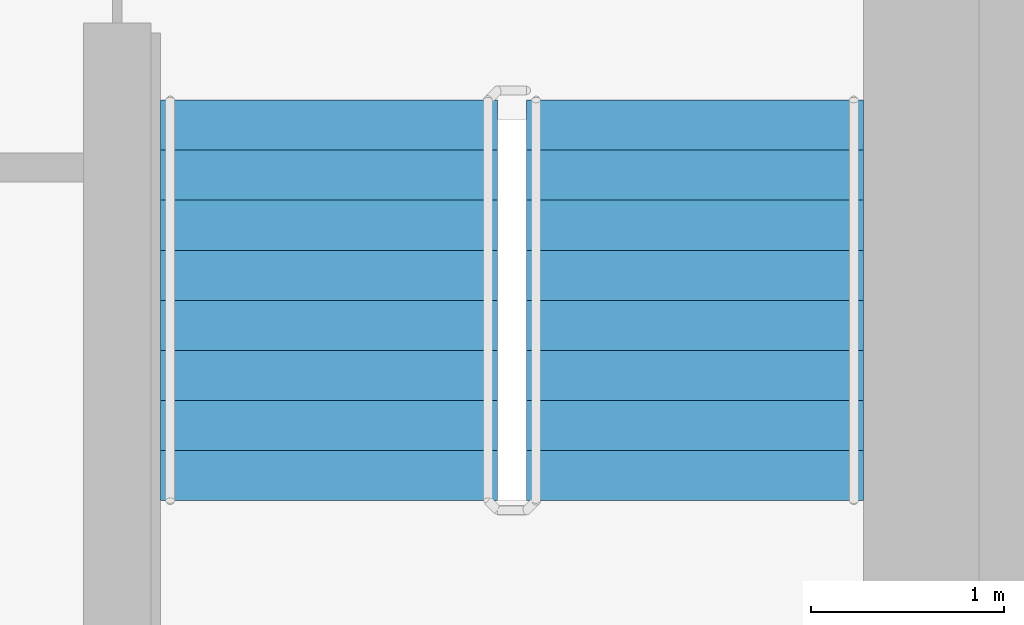
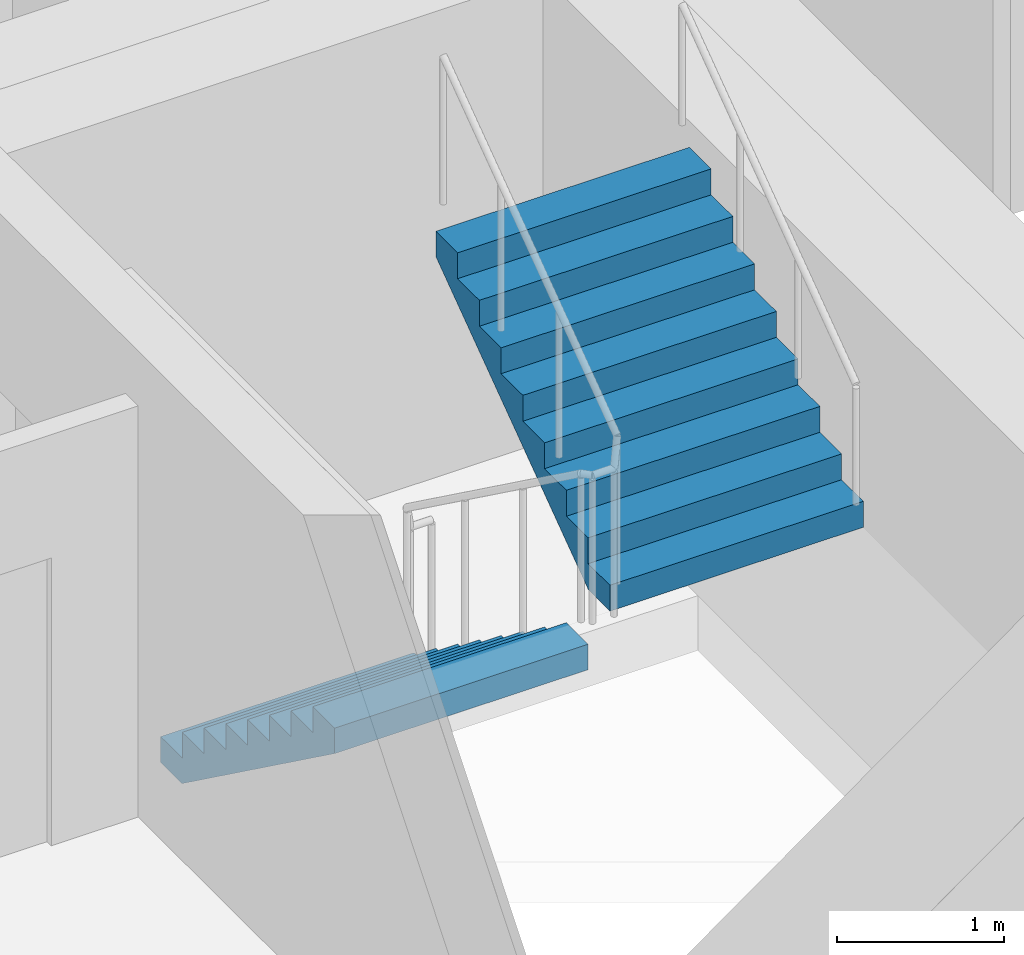
# One storey, part 14 of 18: 2 stair flights, 1 element without a shape of its own.
"""IFC4 building model written with IfcOpenShell, lengths in metres."""

import ifcopenshell
import ifcopenshell.guid

model = None  # the IFC model being written
_history = None  # IfcOwnerHistory: only IFC2X3 demands one
_inside = {}  # id of a spatial element -> (the spatial element, [elements in it])
_under = {}  # id of a project, library or spatial element -> (it, [spatial elements below it])
_declared = {}  # id of a project -> (the project, [libraries it declares])
_typed = {}  # id of a type object -> (the type object, [elements of that type])
_made_of = {}  # id of a material, layer set ... -> (it, [elements and type objects made of it])


def new_model(schema):
    """Start an empty IFC model of exactly this schema.

    Asked for "IFC4X3", IfcOpenShell would pick the latest addendum, in which some entities
    have other attributes; the version numbers below select the first issue.
    IFC2X3 requires an IfcOwnerHistory on every rooted entity: one is made here for all.
    """
    global model, _history
    if schema == "IFC4X3":
        model = ifcopenshell.file(schema_version=(4, 3, 0, 0))
    else:
        model = ifcopenshell.file(schema=schema)
    _inside.clear()
    _under.clear()
    _declared.clear()
    _typed.clear()
    _made_of.clear()
    _history = None
    if model.schema == "IFC2X3":
        org = make("IfcOrganization", Name="unknown")
        user = make(
            "IfcPersonAndOrganization",
            ThePerson=make("IfcPerson", FamilyName="unknown"),
            TheOrganization=org,
        )
        app = make(
            "IfcApplication",
            ApplicationDeveloper=org,
            Version="unknown",
            ApplicationFullName="unknown",
            ApplicationIdentifier="unknown",
        )
        _history = make(
            "IfcOwnerHistory",
            OwningUser=user,
            OwningApplication=app,
            ChangeAction="ADDED",
            CreationDate=0,
        )
    return model


def make(cls, **values):
    """One entity of the class cls with the attributes given. An attribute that is None is left unset."""
    return model.create_entity(
        cls, **{name: value for name, value in values.items() if value is not None}
    )


def rooted(cls, **values):
    """An entity with a GlobalId (a new one), such as an element, a storey or a relation."""
    return make(cls, GlobalId=ifcopenshell.guid.new(), OwnerHistory=_history, **values)


def si_unit(unit_type, name, prefix=None):
    """IfcSIUnit, for example si_unit("LENGTHUNIT", "METRE", prefix="MILLI")."""
    return make("IfcSIUnit", UnitType=unit_type, Prefix=prefix, Name=name)


def assignment(units):
    """IfcUnitAssignment: the units of a project."""
    return None if units is None else make("IfcUnitAssignment", Units=units)


def point(xyz):
    """IfcCartesianPoint."""
    return None if xyz is None else make("IfcCartesianPoint", Coordinates=xyz)


def direction(xyz):
    """IfcDirection."""
    return None if xyz is None else make("IfcDirection", DirectionRatios=xyz)


def frame(location, z_axis=None, x_axis=None):
    """IfcAxis2Placement3D, a coordinate frame: its origin and axes. An axis left out is left unset."""
    return make(
        "IfcAxis2Placement3D",
        Location=point(location),
        Axis=direction(z_axis),
        RefDirection=direction(x_axis),
    )


def origin():
    """The frame at (0, 0, 0) with its axes left unset."""
    return frame((0.0, 0.0, 0.0))


def place(relative_to, where):
    """IfcLocalPlacement: puts the frame where relative to a parent placement (None: the world)."""
    return make(
        "IfcLocalPlacement", PlacementRelTo=relative_to, RelativePlacement=where
    )


def context(
    kind, dimensions, precision=None, world=None, true_north=None, identifier=None
):
    """IfcGeometricRepresentationContext, for example the 3D "Model" context."""
    return make(
        "IfcGeometricRepresentationContext",
        ContextIdentifier=identifier,
        ContextType=kind,
        CoordinateSpaceDimension=dimensions,
        Precision=precision,
        WorldCoordinateSystem=world,
        TrueNorth=true_north,
    )


def subcontext(parent, identifier, kind, view, scale=None):
    """IfcGeometricRepresentationSubContext, for example "Body" below "Model"."""
    return make(
        "IfcGeometricRepresentationSubContext",
        ContextIdentifier=identifier,
        ContextType=kind,
        ParentContext=parent,
        TargetScale=scale,
        TargetView=view,
    )


def project(units=None, contexts=None):
    """IfcProject with its units and contexts."""
    return rooted(
        "IfcProject",
        Name="project",
        RepresentationContexts=contexts,
        UnitsInContext=assignment(units),
    )


def spatial(cls, under=None, at=None, **own):
    """A site, building, storey or space (cls), placed at a placement, below another one or the project."""
    s = rooted(cls, ObjectPlacement=at, **own)
    if under is not None:
        _under.setdefault(under.id(), (under, []))[1].append(s)
    return s


def faces_of(points, faces, orient=None, outer=None):
    """IfcFace entities. A face is a list of loops; a loop is a list of indices into points, from 0.

    orient and outer hold one flag for each loop. By default every Orientation is true, the
    first loop of a face is its IfcFaceOuterBound and the others are IfcFaceBound.
    """
    made = []
    for i, loops in enumerate(faces):
        bounds = []
        for j, loop in enumerate(loops):
            is_outer = j == 0 if outer is None else outer[i][j]
            bounds.append(
                make(
                    "IfcFaceOuterBound" if is_outer else "IfcFaceBound",
                    Bound=make("IfcPolyLoop", Polygon=[points[k] for k in loop]),
                    Orientation=True if orient is None else orient[i][j],
                )
            )
        made.append(make("IfcFace", Bounds=bounds))
    return made


def faceted_brep(points, faces, orient=None, outer=None, voids=None):
    """IfcFacetedBrep: a solid bounded by flat faces; with voids (closed shells), ...WithVoids."""
    shared = [point(p) for p in points]
    hull = make("IfcClosedShell", CfsFaces=faces_of(shared, faces, orient, outer))
    if voids is None:
        return make("IfcFacetedBrep", Outer=hull)
    return make(
        "IfcFacetedBrepWithVoids",
        Outer=hull,
        Voids=[
            make(cls, CfsFaces=faces_of(shared, fs, o, b)) for cls, fs, o, b in voids
        ],
    )


def shape(context_of_items, identifier, shape_type, items):
    """IfcShapeRepresentation: the items that make up one representation, for example the "Body"."""
    return make(
        "IfcShapeRepresentation",
        ContextOfItems=context_of_items,
        RepresentationIdentifier=identifier,
        RepresentationType=shape_type,
        Items=items,
    )


def material(Name=None, Category=None):
    """IfcMaterial."""
    return make("IfcMaterial", Name=Name, Category=Category)


def made_of(thing, what):
    """Note that an element or type object is made of a material, layer set ...; save() writes the relation."""
    if what is not None:
        _made_of.setdefault(what.id(), (what, []))[1].append(thing)
    return thing


def type_object(cls, material=None, **own):
    """A type object (cls), such as IfcWallType, which elements share."""
    return made_of(rooted(cls, **own), material)


def element(
    cls,
    number,
    at=None,
    inside=None,
    cuts=None,
    type_object=None,
    material=None,
    context=None,
    identifier="Body",
    shape_type=None,
    held_by="IfcProductDefinitionShape",
    body=None,
    shapes=None,
    **own,
):
    """One element of the class cls, such as IfcWall. Its Tag is "e" and its number.

    at: its placement. inside: the storey or other place that contains it. cuts: it is an
    opening in that element (IfcRelVoidsElement). A single representation is given by context,
    identifier, shape_type and body (its items); several are given by shapes. held_by: the class
    of the entity that holds the representations. save() writes the other relations.
    """
    e = rooted(cls, Tag="e%d" % number, ObjectPlacement=at, **own)
    if body is not None:
        shapes = [shape(context, identifier, shape_type, body)]
    if shapes is not None:
        e.Representation = make(held_by, Representations=shapes)
    if inside is not None:
        _inside.setdefault(inside.id(), (inside, []))[1].append(e)
    if cuts is not None:
        rooted(
            "IfcRelVoidsElement", RelatingBuildingElement=cuts, RelatedOpeningElement=e
        )
    if type_object is not None:
        _typed.setdefault(type_object.id(), (type_object, []))[1].append(e)
    return made_of(e, material)


def aggregate(whole, parts):
    """IfcRelAggregates: a whole, such as a stair, and the parts it consists of."""
    return rooted("IfcRelAggregates", RelatingObject=whole, RelatedObjects=parts)


def save(model, path):
    """Write the relations noted so far, then the file.

    IfcRelAggregates (storeys below a building ...), IfcRelContainedInSpatialStructure (elements
    in a storey), IfcRelDefinesByType, IfcRelAssociatesMaterial and IfcRelDeclares: one each for
    every whole, place, type object, material and project.
    """
    for whole, parts in _under.values():
        aggregate(whole, parts)
    for where, things in _inside.values():
        rooted(
            "IfcRelContainedInSpatialStructure",
            RelatedElements=things,
            RelatingStructure=where,
        )
    for kind, things in _typed.values():
        rooted("IfcRelDefinesByType", RelatedObjects=things, RelatingType=kind)
    for what, things in _made_of.values():
        rooted("IfcRelAssociatesMaterial", RelatedObjects=things, RelatingMaterial=what)
    for by, libraries in _declared.values():
        rooted("IfcRelDeclares", RelatingContext=by, RelatedDefinitions=libraries)
    model.write(path)


model = new_model("IFC4")

# Units and contexts
model_context = context("Model", 3, precision=1e-05, world=origin(), true_north=direction((0.0, 1.0)))
body_context = subcontext(model_context, "Body", "Model", "MODEL_VIEW")
ifc_project = project(units=[si_unit("LENGTHUNIT", "METRE"), si_unit("AREAUNIT", "SQUARE_METRE"), si_unit("VOLUMEUNIT", "CUBIC_METRE"), si_unit("PLANEANGLEUNIT", "RADIAN"), si_unit("MASSUNIT", "GRAM", prefix="KILO")], contexts=[model_context])

# Site, building, storey
site_placement = place(None, origin())
site = spatial("IfcSite", under=ifc_project, at=site_placement, CompositionType="ELEMENT")
building_placement = place(site_placement, origin())
building = spatial("IfcBuilding", under=site, at=building_placement, Name="Ipe Terrace Towers", CompositionType="ELEMENT")
storey_placement = place(building_placement, frame((0.0, 0.0, 192.60009765625)))
storey = spatial("IfcBuildingStorey", under=building, at=storey_placement, Name="L53", CompositionType="ELEMENT", Elevation=192.60009765625)

# Stair, stair flights
ifc_material_1 = material(Name="Concrete C30/37", Category="concrete")
stair_type = type_object("IfcStairType", Name="Protected exit stair", PredefinedType="HALF_TURN_STAIR", material=ifc_material_1)
stair_placement = place(storey_placement, origin())
stair = element("IfcStair", 1, at=stair_placement, inside=storey, type_object=stair_type, Name="L53 Exit stair T2-C2", PredefinedType="HALF_TURN_STAIR")
ifc_material_2 = material(Name="Concrete C30/37", Category="concrete")
stair_flight_type = type_object("IfcStairFlightType", Name="Exit stair flight 1750", PredefinedType="STRAIGHT", material=ifc_material_2)
stair_flight_1_placement = place(storey_placement, frame((38.77490234375, -9.699951171875, 0.0), z_axis=(0.0, 0.0, 1.0), x_axis=(0.0, -1.0, 0.0)))
stair_flight_1 = element("IfcStairFlight", 2, at=stair_flight_1_placement, type_object=stair_flight_type, Name="T2-ST2 flight 1", NumberOfRisers=9, NumberOfTreads=8, PredefinedType="STRAIGHT", RiserHeight=0.188888889, TreadLength=0.26, context=body_context, shape_type="Brep", body=[
    faceted_brep([(0.255126953125, -0.875, 0.0), (2.080078125, -0.875, 1.325927734375), (2.080078125, -0.875, 1.51123046875), (1.820068359375, -0.875, 1.51123046875), (1.820068359375, -0.875, 1.322265625), (1.56005859375, -0.875, 1.322265625), (1.56005859375, -0.875, 1.13330078125), (1.300048828125, -0.875, 1.13330078125), (1.300048828125, -0.875, 0.9443359375), (1.0400390625, -0.875, 0.9443359375), (1.0400390625, -0.875, 0.755615234375), (0.780029296875, -0.875, 0.755615234375), (0.780029296875, -0.875, 0.566650390625), (0.52001953125, -0.875, 0.566650390625), (0.52001953125, -0.875, 0.377685546875), (0.260009765625, -0.875, 0.377685546875), (0.260009765625, -0.875, 0.18896484375), (0.0, -0.875, 0.18896484375), (0.0, -0.875, 0.0), (0.0, 0.875, 0.0), (0.0, 0.875, 0.18896484375), (0.260009765625, 0.875, 0.18896484375), (0.260009765625, 0.875, 0.377685546875), (0.52001953125, 0.875, 0.377685546875), (0.52001953125, 0.875, 0.566650390625), (0.780029296875, 0.875, 0.566650390625), (0.780029296875, 0.875, 0.755615234375), (1.0400390625, 0.875, 0.755615234375), (1.0400390625, 0.875, 0.9443359375), (1.300048828125, 0.875, 0.9443359375), (1.300048828125, 0.875, 1.13330078125), (1.56005859375, 0.875, 1.13330078125), (1.56005859375, 0.875, 1.322265625), (1.820068359375, 0.875, 1.322265625), (1.820068359375, 0.875, 1.51123046875), (2.080078125, 0.875, 1.51123046875), (2.080078125, 0.875, 1.325927734375), (0.255126953125, 0.875, 0.0), (0.0, -0.300048828125, 0.18896484375), (0.0, -0.1201171875, 0.18896484375), (0.0, -0.06005859375, 0.18896484375), (0.0, -0.030029296875, 0.18896484375), (0.0, -0.010009765625, 0.18896484375), (0.0, 0.0, 0.18896484375), (0.0, 0.010009765625, 0.18896484375), (0.0, 0.030029296875, 0.18896484375), (0.0, 0.06005859375, 0.18896484375), (0.0, 0.1201171875, 0.18896484375), (0.0, 0.300048828125, 0.18896484375), (0.0, 0.300048828125, 0.0), (0.0, 0.1201171875, 0.0), (0.0, 0.06005859375, 0.0), (0.0, 0.030029296875, 0.0), (0.0, 0.010009765625, 0.0), (0.0, 0.0, 0.0), (0.0, -0.010009765625, 0.0), (0.0, -0.030029296875, 0.0), (0.0, -0.06005859375, 0.0), (0.0, -0.1201171875, 0.0), (0.0, -0.300048828125, 0.0), (0.260009765625, -0.300048828125, 0.18896484375), (0.260009765625, -0.1201171875, 0.18896484375), (0.260009765625, -0.06005859375, 0.18896484375), (0.260009765625, -0.030029296875, 0.18896484375), (0.260009765625, -0.010009765625, 0.18896484375), (0.260009765625, 0.0, 0.18896484375), (0.260009765625, 0.010009765625, 0.18896484375), (0.260009765625, 0.030029296875, 0.18896484375), (0.260009765625, 0.06005859375, 0.18896484375), (0.260009765625, 0.1201171875, 0.18896484375), (0.260009765625, 0.300048828125, 0.18896484375), (0.260009765625, -0.300048828125, 0.377685546875), (0.260009765625, -0.1201171875, 0.377685546875), (0.260009765625, -0.06005859375, 0.377685546875), (0.260009765625, -0.030029296875, 0.377685546875), (0.260009765625, -0.010009765625, 0.377685546875), (0.260009765625, 0.0, 0.377685546875), (0.260009765625, 0.010009765625, 0.377685546875), (0.260009765625, 0.030029296875, 0.377685546875), (0.260009765625, 0.06005859375, 0.377685546875), (0.260009765625, 0.1201171875, 0.377685546875), (0.260009765625, 0.300048828125, 0.377685546875), (0.52001953125, -0.300048828125, 0.377685546875), (0.52001953125, -0.1201171875, 0.377685546875), (0.52001953125, -0.06005859375, 0.377685546875), (0.52001953125, -0.030029296875, 0.377685546875), (0.52001953125, -0.010009765625, 0.377685546875), (0.52001953125, 0.0, 0.377685546875), (0.52001953125, 0.010009765625, 0.377685546875), (0.52001953125, 0.030029296875, 0.377685546875), (0.52001953125, 0.06005859375, 0.377685546875), (0.52001953125, 0.1201171875, 0.377685546875), (0.52001953125, 0.300048828125, 0.377685546875), (0.52001953125, -0.300048828125, 0.566650390625), (0.52001953125, -0.1201171875, 0.566650390625), (0.52001953125, -0.06005859375, 0.566650390625), (0.52001953125, -0.030029296875, 0.566650390625), (0.52001953125, -0.010009765625, 0.566650390625), (0.52001953125, 0.0, 0.566650390625), (0.52001953125, 0.010009765625, 0.566650390625), (0.52001953125, 0.030029296875, 0.566650390625), (0.52001953125, 0.06005859375, 0.566650390625), (0.52001953125, 0.1201171875, 0.566650390625), (0.52001953125, 0.300048828125, 0.566650390625), (0.780029296875, -0.300048828125, 0.566650390625), (0.780029296875, -0.1201171875, 0.566650390625), (0.780029296875, -0.06005859375, 0.566650390625), (0.780029296875, -0.030029296875, 0.566650390625), (0.780029296875, -0.010009765625, 0.566650390625), (0.780029296875, 0.0, 0.566650390625), (0.780029296875, 0.010009765625, 0.566650390625), (0.780029296875, 0.030029296875, 0.566650390625), (0.780029296875, 0.06005859375, 0.566650390625), (0.780029296875, 0.1201171875, 0.566650390625), (0.780029296875, 0.300048828125, 0.566650390625), (0.780029296875, -0.300048828125, 0.755615234375), (0.780029296875, -0.1201171875, 0.755615234375), (0.780029296875, -0.06005859375, 0.755615234375), (0.780029296875, -0.030029296875, 0.755615234375), (0.780029296875, -0.010009765625, 0.755615234375), (0.780029296875, 0.0, 0.755615234375), (0.780029296875, 0.010009765625, 0.755615234375), (0.780029296875, 0.030029296875, 0.755615234375), (0.780029296875, 0.06005859375, 0.755615234375), (0.780029296875, 0.1201171875, 0.755615234375), (0.780029296875, 0.300048828125, 0.755615234375), (1.0400390625, -0.300048828125, 0.755615234375), (1.0400390625, -0.1201171875, 0.755615234375), (1.0400390625, -0.06005859375, 0.755615234375), (1.0400390625, -0.030029296875, 0.755615234375), (1.0400390625, -0.010009765625, 0.755615234375), (1.0400390625, 0.0, 0.755615234375), (1.0400390625, 0.010009765625, 0.755615234375), (1.0400390625, 0.030029296875, 0.755615234375), (1.0400390625, 0.06005859375, 0.755615234375), (1.0400390625, 0.1201171875, 0.755615234375), (1.0400390625, 0.300048828125, 0.755615234375), (1.0400390625, -0.300048828125, 0.9443359375), (1.0400390625, -0.1201171875, 0.9443359375), (1.0400390625, -0.06005859375, 0.9443359375), (1.0400390625, -0.030029296875, 0.9443359375), (1.0400390625, -0.010009765625, 0.9443359375), (1.0400390625, 0.0, 0.9443359375), (1.0400390625, 0.010009765625, 0.9443359375), (1.0400390625, 0.030029296875, 0.9443359375), (1.0400390625, 0.06005859375, 0.9443359375), (1.0400390625, 0.1201171875, 0.9443359375), (1.0400390625, 0.300048828125, 0.9443359375), (1.300048828125, -0.300048828125, 0.9443359375), (1.300048828125, -0.1201171875, 0.9443359375), (1.300048828125, -0.06005859375, 0.9443359375), (1.300048828125, -0.030029296875, 0.9443359375), (1.300048828125, -0.010009765625, 0.9443359375), (1.300048828125, 0.0, 0.9443359375), (1.300048828125, 0.010009765625, 0.9443359375), (1.300048828125, 0.030029296875, 0.9443359375), (1.300048828125, 0.06005859375, 0.9443359375), (1.300048828125, 0.1201171875, 0.9443359375), (1.300048828125, 0.300048828125, 0.9443359375), (1.300048828125, -0.300048828125, 1.13330078125), (1.300048828125, -0.1201171875, 1.13330078125), (1.300048828125, -0.06005859375, 1.13330078125), (1.300048828125, -0.030029296875, 1.13330078125), (1.300048828125, -0.010009765625, 1.13330078125), (1.300048828125, 0.0, 1.13330078125), (1.300048828125, 0.010009765625, 1.13330078125), (1.300048828125, 0.030029296875, 1.13330078125), (1.300048828125, 0.06005859375, 1.13330078125), (1.300048828125, 0.1201171875, 1.13330078125), (1.300048828125, 0.300048828125, 1.13330078125), (1.56005859375, -0.300048828125, 1.13330078125), (1.56005859375, -0.1201171875, 1.13330078125), (1.56005859375, -0.06005859375, 1.13330078125), (1.56005859375, -0.030029296875, 1.13330078125), (1.56005859375, -0.010009765625, 1.13330078125), (1.56005859375, 0.0, 1.13330078125), (1.56005859375, 0.010009765625, 1.13330078125), (1.56005859375, 0.030029296875, 1.13330078125), (1.56005859375, 0.06005859375, 1.13330078125), (1.56005859375, 0.1201171875, 1.13330078125), (1.56005859375, 0.300048828125, 1.13330078125), (1.56005859375, -0.300048828125, 1.322265625), (1.56005859375, -0.1201171875, 1.322265625), (1.56005859375, -0.06005859375, 1.322265625), (1.56005859375, -0.030029296875, 1.322265625), (1.56005859375, -0.010009765625, 1.322265625), (1.56005859375, 0.0, 1.322265625), (1.56005859375, 0.010009765625, 1.322265625), (1.56005859375, 0.030029296875, 1.322265625), (1.56005859375, 0.06005859375, 1.322265625), (1.56005859375, 0.1201171875, 1.322265625), (1.56005859375, 0.300048828125, 1.322265625), (1.820068359375, -0.300048828125, 1.322265625), (1.820068359375, -0.1201171875, 1.322265625), (1.820068359375, -0.06005859375, 1.322265625), (1.820068359375, -0.030029296875, 1.322265625), (1.820068359375, -0.010009765625, 1.322265625), (1.820068359375, 0.0, 1.322265625), (1.820068359375, 0.010009765625, 1.322265625), (1.820068359375, 0.030029296875, 1.322265625), (1.820068359375, 0.06005859375, 1.322265625), (1.820068359375, 0.1201171875, 1.322265625), (1.820068359375, 0.300048828125, 1.322265625), (1.820068359375, -0.300048828125, 1.51123046875), (1.820068359375, -0.1201171875, 1.51123046875), (1.820068359375, -0.06005859375, 1.51123046875), (1.820068359375, -0.030029296875, 1.51123046875), (1.820068359375, -0.010009765625, 1.51123046875), (1.820068359375, 0.0, 1.51123046875), (1.820068359375, 0.010009765625, 1.51123046875), (1.820068359375, 0.030029296875, 1.51123046875), (1.820068359375, 0.06005859375, 1.51123046875), (1.820068359375, 0.1201171875, 1.51123046875), (1.820068359375, 0.300048828125, 1.51123046875), (2.080078125, -0.300048828125, 1.51123046875), (2.080078125, -0.1201171875, 1.51123046875), (2.080078125, -0.06005859375, 1.51123046875), (2.080078125, -0.030029296875, 1.51123046875), (2.080078125, -0.010009765625, 1.51123046875), (2.080078125, 0.0, 1.51123046875), (2.080078125, 0.010009765625, 1.51123046875), (2.080078125, 0.030029296875, 1.51123046875), (2.080078125, 0.06005859375, 1.51123046875), (2.080078125, 0.1201171875, 1.51123046875), (2.080078125, 0.300048828125, 1.51123046875), (2.080078125, -0.300048828125, 1.325927734375), (2.080078125, -0.1201171875, 1.325927734375), (2.080078125, -0.06005859375, 1.325927734375), (2.080078125, -0.030029296875, 1.325927734375), (2.080078125, -0.010009765625, 1.325927734375), (2.080078125, 0.0, 1.325927734375), (2.080078125, 0.010009765625, 1.325927734375), (2.080078125, 0.030029296875, 1.325927734375), (2.080078125, 0.06005859375, 1.325927734375), (2.080078125, 0.1201171875, 1.325927734375), (2.080078125, 0.300048828125, 1.325927734375), (0.255126953125, -0.300048828125, 0.0), (0.255126953125, -0.1201171875, 0.0), (0.255126953125, -0.06005859375, 0.0), (0.255126953125, -0.030029296875, 0.0), (0.255126953125, -0.010009765625, 0.0), (0.255126953125, 0.0, 0.0), (0.255126953125, 0.010009765625, 0.0), (0.255126953125, 0.030029296875, 0.0), (0.255126953125, 0.06005859375, 0.0), (0.255126953125, 0.1201171875, 0.0), (0.255126953125, 0.300048828125, 0.0)], [[[0, 1, 2, 3, 4, 5, 6, 7, 8, 9, 10, 11, 12, 13, 14, 15, 16, 17, 18]], [[19, 20, 21, 22, 23, 24, 25, 26, 27, 28, 29, 30, 31, 32, 33, 34, 35, 36, 37]], [[17, 38, 39, 40, 41, 42, 43, 44, 45, 46, 47, 48, 20, 19, 49, 50, 51, 52, 53, 54, 55, 56, 57, 58, 59, 18]], [[16, 60, 61, 62, 63, 64, 65, 66, 67, 68, 69, 70, 21, 20, 48, 47, 46, 45, 44, 43, 42, 41, 40, 39, 38, 17]], [[15, 71, 72, 73, 74, 75, 76, 77, 78, 79, 80, 81, 22, 21, 70, 69, 68, 67, 66, 65, 64, 63, 62, 61, 60, 16]], [[14, 82, 83, 84, 85, 86, 87, 88, 89, 90, 91, 92, 23, 22, 81, 80, 79, 78, 77, 76, 75, 74, 73, 72, 71, 15]], [[13, 93, 94, 95, 96, 97, 98, 99, 100, 101, 102, 103, 24, 23, 92, 91, 90, 89, 88, 87, 86, 85, 84, 83, 82, 14]], [[12, 104, 105, 106, 107, 108, 109, 110, 111, 112, 113, 114, 25, 24, 103, 102, 101, 100, 99, 98, 97, 96, 95, 94, 93, 13]], [[11, 115, 116, 117, 118, 119, 120, 121, 122, 123, 124, 125, 26, 25, 114, 113, 112, 111, 110, 109, 108, 107, 106, 105, 104, 12]], [[10, 126, 127, 128, 129, 130, 131, 132, 133, 134, 135, 136, 27, 26, 125, 124, 123, 122, 121, 120, 119, 118, 117, 116, 115, 11]], [[9, 137, 138, 139, 140, 141, 142, 143, 144, 145, 146, 147, 28, 27, 136, 135, 134, 133, 132, 131, 130, 129, 128, 127, 126, 10]], [[8, 148, 149, 150, 151, 152, 153, 154, 155, 156, 157, 158, 29, 28, 147, 146, 145, 144, 143, 142, 141, 140, 139, 138, 137, 9]], [[7, 159, 160, 161, 162, 163, 164, 165, 166, 167, 168, 169, 30, 29, 158, 157, 156, 155, 154, 153, 152, 151, 150, 149, 148, 8]], [[6, 170, 171, 172, 173, 174, 175, 176, 177, 178, 179, 180, 31, 30, 169, 168, 167, 166, 165, 164, 163, 162, 161, 160, 159, 7]], [[5, 181, 182, 183, 184, 185, 186, 187, 188, 189, 190, 191, 32, 31, 180, 179, 178, 177, 176, 175, 174, 173, 172, 171, 170, 6]], [[4, 192, 193, 194, 195, 196, 197, 198, 199, 200, 201, 202, 33, 32, 191, 190, 189, 188, 187, 186, 185, 184, 183, 182, 181, 5]], [[3, 203, 204, 205, 206, 207, 208, 209, 210, 211, 212, 213, 34, 33, 202, 201, 200, 199, 198, 197, 196, 195, 194, 193, 192, 4]], [[2, 214, 215, 216, 217, 218, 219, 220, 221, 222, 223, 224, 35, 34, 213, 212, 211, 210, 209, 208, 207, 206, 205, 204, 203, 3]], [[1, 225, 226, 227, 228, 229, 230, 231, 232, 233, 234, 235, 36, 35, 224, 223, 222, 221, 220, 219, 218, 217, 216, 215, 214, 2]], [[0, 236, 237, 238, 239, 240, 241, 242, 243, 244, 245, 246, 37, 36, 235, 234, 233, 232, 231, 230, 229, 228, 227, 226, 225, 1]], [[18, 59, 58, 57, 56, 55, 54, 53, 52, 51, 50, 49, 19, 37, 246, 245, 244, 243, 242, 241, 240, 239, 238, 237, 236, 0]]]),
])
stair_flight_2_placement = place(storey_placement, frame((40.675048828125, -11.780029296875, 1.699951171875), z_axis=(0.0, 0.0, 1.0), x_axis=(0.0, 1.0, 0.0)))
stair_flight_2 = element("IfcStairFlight", 3, at=stair_flight_2_placement, type_object=stair_flight_type, Name="T2-ST2 flight 2", NumberOfRisers=9, NumberOfTreads=8, PredefinedType="STRAIGHT", RiserHeight=0.188888889, TreadLength=0.26, context=body_context, shape_type="Brep", body=[
    faceted_brep([(0.255126953125, -0.875, 0.0), (2.080078125, -0.875, 1.325927734375), (2.080078125, -0.875, 1.51123046875), (1.820068359375, -0.875, 1.51123046875), (1.820068359375, -0.875, 1.322265625), (1.56005859375, -0.875, 1.322265625), (1.56005859375, -0.875, 1.13330078125), (1.300048828125, -0.875, 1.13330078125), (1.300048828125, -0.875, 0.9443359375), (1.0400390625, -0.875, 0.9443359375), (1.0400390625, -0.875, 0.755615234375), (0.780029296875, -0.875, 0.755615234375), (0.780029296875, -0.875, 0.566650390625), (0.52001953125, -0.875, 0.566650390625), (0.52001953125, -0.875, 0.377685546875), (0.260009765625, -0.875, 0.377685546875), (0.260009765625, -0.875, 0.18896484375), (0.0, -0.875, 0.18896484375), (0.0, -0.875, 0.0), (0.0, 0.875, 0.0), (0.0, 0.875, 0.18896484375), (0.260009765625, 0.875, 0.18896484375), (0.260009765625, 0.875, 0.377685546875), (0.52001953125, 0.875, 0.377685546875), (0.52001953125, 0.875, 0.566650390625), (0.780029296875, 0.875, 0.566650390625), (0.780029296875, 0.875, 0.755615234375), (1.0400390625, 0.875, 0.755615234375), (1.0400390625, 0.875, 0.9443359375), (1.300048828125, 0.875, 0.9443359375), (1.300048828125, 0.875, 1.13330078125), (1.56005859375, 0.875, 1.13330078125), (1.56005859375, 0.875, 1.322265625), (1.820068359375, 0.875, 1.322265625), (1.820068359375, 0.875, 1.51123046875), (2.080078125, 0.875, 1.51123046875), (2.080078125, 0.875, 1.325927734375), (0.255126953125, 0.875, 0.0), (0.0, -0.300048828125, 0.18896484375), (0.0, -0.1201171875, 0.18896484375), (0.0, -0.06005859375, 0.18896484375), (0.0, -0.030029296875, 0.18896484375), (0.0, -0.010009765625, 0.18896484375), (0.0, 0.0, 0.18896484375), (0.0, 0.010009765625, 0.18896484375), (0.0, 0.030029296875, 0.18896484375), (0.0, 0.06005859375, 0.18896484375), (0.0, 0.1201171875, 0.18896484375), (0.0, 0.300048828125, 0.18896484375), (0.0, 0.300048828125, 0.0), (0.0, 0.1201171875, 0.0), (0.0, 0.06005859375, 0.0), (0.0, 0.030029296875, 0.0), (0.0, 0.010009765625, 0.0), (0.0, 0.0, 0.0), (0.0, -0.010009765625, 0.0), (0.0, -0.030029296875, 0.0), (0.0, -0.06005859375, 0.0), (0.0, -0.1201171875, 0.0), (0.0, -0.300048828125, 0.0), (0.260009765625, -0.300048828125, 0.18896484375), (0.260009765625, -0.1201171875, 0.18896484375), (0.260009765625, -0.06005859375, 0.18896484375), (0.260009765625, -0.030029296875, 0.18896484375), (0.260009765625, -0.010009765625, 0.18896484375), (0.260009765625, 0.0, 0.18896484375), (0.260009765625, 0.010009765625, 0.18896484375), (0.260009765625, 0.030029296875, 0.18896484375), (0.260009765625, 0.06005859375, 0.18896484375), (0.260009765625, 0.1201171875, 0.18896484375), (0.260009765625, 0.300048828125, 0.18896484375), (0.260009765625, -0.300048828125, 0.377685546875), (0.260009765625, -0.1201171875, 0.377685546875), (0.260009765625, -0.06005859375, 0.377685546875), (0.260009765625, -0.030029296875, 0.377685546875), (0.260009765625, -0.010009765625, 0.377685546875), (0.260009765625, 0.0, 0.377685546875), (0.260009765625, 0.010009765625, 0.377685546875), (0.260009765625, 0.030029296875, 0.377685546875), (0.260009765625, 0.06005859375, 0.377685546875), (0.260009765625, 0.1201171875, 0.377685546875), (0.260009765625, 0.300048828125, 0.377685546875), (0.52001953125, -0.300048828125, 0.377685546875), (0.52001953125, -0.1201171875, 0.377685546875), (0.52001953125, -0.06005859375, 0.377685546875), (0.52001953125, -0.030029296875, 0.377685546875), (0.52001953125, -0.010009765625, 0.377685546875), (0.52001953125, 0.0, 0.377685546875), (0.52001953125, 0.010009765625, 0.377685546875), (0.52001953125, 0.030029296875, 0.377685546875), (0.52001953125, 0.06005859375, 0.377685546875), (0.52001953125, 0.1201171875, 0.377685546875), (0.52001953125, 0.300048828125, 0.377685546875), (0.52001953125, -0.300048828125, 0.566650390625), (0.52001953125, -0.1201171875, 0.566650390625), (0.52001953125, -0.06005859375, 0.566650390625), (0.52001953125, -0.030029296875, 0.566650390625), (0.52001953125, -0.010009765625, 0.566650390625), (0.52001953125, 0.0, 0.566650390625), (0.52001953125, 0.010009765625, 0.566650390625), (0.52001953125, 0.030029296875, 0.566650390625), (0.52001953125, 0.06005859375, 0.566650390625), (0.52001953125, 0.1201171875, 0.566650390625), (0.52001953125, 0.300048828125, 0.566650390625), (0.780029296875, -0.300048828125, 0.566650390625), (0.780029296875, -0.1201171875, 0.566650390625), (0.780029296875, -0.06005859375, 0.566650390625), (0.780029296875, -0.030029296875, 0.566650390625), (0.780029296875, -0.010009765625, 0.566650390625), (0.780029296875, 0.0, 0.566650390625), (0.780029296875, 0.010009765625, 0.566650390625), (0.780029296875, 0.030029296875, 0.566650390625), (0.780029296875, 0.06005859375, 0.566650390625), (0.780029296875, 0.1201171875, 0.566650390625), (0.780029296875, 0.300048828125, 0.566650390625), (0.780029296875, -0.300048828125, 0.755615234375), (0.780029296875, -0.1201171875, 0.755615234375), (0.780029296875, -0.06005859375, 0.755615234375), (0.780029296875, -0.030029296875, 0.755615234375), (0.780029296875, -0.010009765625, 0.755615234375), (0.780029296875, 0.0, 0.755615234375), (0.780029296875, 0.010009765625, 0.755615234375), (0.780029296875, 0.030029296875, 0.755615234375), (0.780029296875, 0.06005859375, 0.755615234375), (0.780029296875, 0.1201171875, 0.755615234375), (0.780029296875, 0.300048828125, 0.755615234375), (1.0400390625, -0.300048828125, 0.755615234375), (1.0400390625, -0.1201171875, 0.755615234375), (1.0400390625, -0.06005859375, 0.755615234375), (1.0400390625, -0.030029296875, 0.755615234375), (1.0400390625, -0.010009765625, 0.755615234375), (1.0400390625, 0.0, 0.755615234375), (1.0400390625, 0.010009765625, 0.755615234375), (1.0400390625, 0.030029296875, 0.755615234375), (1.0400390625, 0.06005859375, 0.755615234375), (1.0400390625, 0.1201171875, 0.755615234375), (1.0400390625, 0.300048828125, 0.755615234375), (1.0400390625, -0.300048828125, 0.9443359375), (1.0400390625, -0.1201171875, 0.9443359375), (1.0400390625, -0.06005859375, 0.9443359375), (1.0400390625, -0.030029296875, 0.9443359375), (1.0400390625, -0.010009765625, 0.9443359375), (1.0400390625, 0.0, 0.9443359375), (1.0400390625, 0.010009765625, 0.9443359375), (1.0400390625, 0.030029296875, 0.9443359375), (1.0400390625, 0.06005859375, 0.9443359375), (1.0400390625, 0.1201171875, 0.9443359375), (1.0400390625, 0.300048828125, 0.9443359375), (1.300048828125, -0.300048828125, 0.9443359375), (1.300048828125, -0.1201171875, 0.9443359375), (1.300048828125, -0.06005859375, 0.9443359375), (1.300048828125, -0.030029296875, 0.9443359375), (1.300048828125, -0.010009765625, 0.9443359375), (1.300048828125, 0.0, 0.9443359375), (1.300048828125, 0.010009765625, 0.9443359375), (1.300048828125, 0.030029296875, 0.9443359375), (1.300048828125, 0.06005859375, 0.9443359375), (1.300048828125, 0.1201171875, 0.9443359375), (1.300048828125, 0.300048828125, 0.9443359375), (1.300048828125, -0.300048828125, 1.13330078125), (1.300048828125, -0.1201171875, 1.13330078125), (1.300048828125, -0.06005859375, 1.13330078125), (1.300048828125, -0.030029296875, 1.13330078125), (1.300048828125, -0.010009765625, 1.13330078125), (1.300048828125, 0.0, 1.13330078125), (1.300048828125, 0.010009765625, 1.13330078125), (1.300048828125, 0.030029296875, 1.13330078125), (1.300048828125, 0.06005859375, 1.13330078125), (1.300048828125, 0.1201171875, 1.13330078125), (1.300048828125, 0.300048828125, 1.13330078125), (1.56005859375, -0.300048828125, 1.13330078125), (1.56005859375, -0.1201171875, 1.13330078125), (1.56005859375, -0.06005859375, 1.13330078125), (1.56005859375, -0.030029296875, 1.13330078125), (1.56005859375, -0.010009765625, 1.13330078125), (1.56005859375, 0.0, 1.13330078125), (1.56005859375, 0.010009765625, 1.13330078125), (1.56005859375, 0.030029296875, 1.13330078125), (1.56005859375, 0.06005859375, 1.13330078125), (1.56005859375, 0.1201171875, 1.13330078125), (1.56005859375, 0.300048828125, 1.13330078125), (1.56005859375, -0.300048828125, 1.322265625), (1.56005859375, -0.1201171875, 1.322265625), (1.56005859375, -0.06005859375, 1.322265625), (1.56005859375, -0.030029296875, 1.322265625), (1.56005859375, -0.010009765625, 1.322265625), (1.56005859375, 0.0, 1.322265625), (1.56005859375, 0.010009765625, 1.322265625), (1.56005859375, 0.030029296875, 1.322265625), (1.56005859375, 0.06005859375, 1.322265625), (1.56005859375, 0.1201171875, 1.322265625), (1.56005859375, 0.300048828125, 1.322265625), (1.820068359375, -0.300048828125, 1.322265625), (1.820068359375, -0.1201171875, 1.322265625), (1.820068359375, -0.06005859375, 1.322265625), (1.820068359375, -0.030029296875, 1.322265625), (1.820068359375, -0.010009765625, 1.322265625), (1.820068359375, 0.0, 1.322265625), (1.820068359375, 0.010009765625, 1.322265625), (1.820068359375, 0.030029296875, 1.322265625), (1.820068359375, 0.06005859375, 1.322265625), (1.820068359375, 0.1201171875, 1.322265625), (1.820068359375, 0.300048828125, 1.322265625), (1.820068359375, -0.300048828125, 1.51123046875), (1.820068359375, -0.1201171875, 1.51123046875), (1.820068359375, -0.06005859375, 1.51123046875), (1.820068359375, -0.030029296875, 1.51123046875), (1.820068359375, -0.010009765625, 1.51123046875), (1.820068359375, 0.0, 1.51123046875), (1.820068359375, 0.010009765625, 1.51123046875), (1.820068359375, 0.030029296875, 1.51123046875), (1.820068359375, 0.06005859375, 1.51123046875), (1.820068359375, 0.1201171875, 1.51123046875), (1.820068359375, 0.300048828125, 1.51123046875), (2.080078125, -0.300048828125, 1.51123046875), (2.080078125, -0.1201171875, 1.51123046875), (2.080078125, -0.06005859375, 1.51123046875), (2.080078125, -0.030029296875, 1.51123046875), (2.080078125, -0.010009765625, 1.51123046875), (2.080078125, 0.0, 1.51123046875), (2.080078125, 0.010009765625, 1.51123046875), (2.080078125, 0.030029296875, 1.51123046875), (2.080078125, 0.06005859375, 1.51123046875), (2.080078125, 0.1201171875, 1.51123046875), (2.080078125, 0.300048828125, 1.51123046875), (2.080078125, -0.300048828125, 1.325927734375), (2.080078125, -0.1201171875, 1.325927734375), (2.080078125, -0.06005859375, 1.325927734375), (2.080078125, -0.030029296875, 1.325927734375), (2.080078125, -0.010009765625, 1.325927734375), (2.080078125, 0.0, 1.325927734375), (2.080078125, 0.010009765625, 1.325927734375), (2.080078125, 0.030029296875, 1.325927734375), (2.080078125, 0.06005859375, 1.325927734375), (2.080078125, 0.1201171875, 1.325927734375), (2.080078125, 0.300048828125, 1.325927734375), (0.255126953125, -0.300048828125, 0.0), (0.255126953125, -0.1201171875, 0.0), (0.255126953125, -0.06005859375, 0.0), (0.255126953125, -0.030029296875, 0.0), (0.255126953125, -0.010009765625, 0.0), (0.255126953125, 0.0, 0.0), (0.255126953125, 0.010009765625, 0.0), (0.255126953125, 0.030029296875, 0.0), (0.255126953125, 0.06005859375, 0.0), (0.255126953125, 0.1201171875, 0.0), (0.255126953125, 0.300048828125, 0.0)], [[[0, 1, 2, 3, 4, 5, 6, 7, 8, 9, 10, 11, 12, 13, 14, 15, 16, 17, 18]], [[19, 20, 21, 22, 23, 24, 25, 26, 27, 28, 29, 30, 31, 32, 33, 34, 35, 36, 37]], [[17, 38, 39, 40, 41, 42, 43, 44, 45, 46, 47, 48, 20, 19, 49, 50, 51, 52, 53, 54, 55, 56, 57, 58, 59, 18]], [[16, 60, 61, 62, 63, 64, 65, 66, 67, 68, 69, 70, 21, 20, 48, 47, 46, 45, 44, 43, 42, 41, 40, 39, 38, 17]], [[15, 71, 72, 73, 74, 75, 76, 77, 78, 79, 80, 81, 22, 21, 70, 69, 68, 67, 66, 65, 64, 63, 62, 61, 60, 16]], [[14, 82, 83, 84, 85, 86, 87, 88, 89, 90, 91, 92, 23, 22, 81, 80, 79, 78, 77, 76, 75, 74, 73, 72, 71, 15]], [[13, 93, 94, 95, 96, 97, 98, 99, 100, 101, 102, 103, 24, 23, 92, 91, 90, 89, 88, 87, 86, 85, 84, 83, 82, 14]], [[12, 104, 105, 106, 107, 108, 109, 110, 111, 112, 113, 114, 25, 24, 103, 102, 101, 100, 99, 98, 97, 96, 95, 94, 93, 13]], [[11, 115, 116, 117, 118, 119, 120, 121, 122, 123, 124, 125, 26, 25, 114, 113, 112, 111, 110, 109, 108, 107, 106, 105, 104, 12]], [[10, 126, 127, 128, 129, 130, 131, 132, 133, 134, 135, 136, 27, 26, 125, 124, 123, 122, 121, 120, 119, 118, 117, 116, 115, 11]], [[9, 137, 138, 139, 140, 141, 142, 143, 144, 145, 146, 147, 28, 27, 136, 135, 134, 133, 132, 131, 130, 129, 128, 127, 126, 10]], [[8, 148, 149, 150, 151, 152, 153, 154, 155, 156, 157, 158, 29, 28, 147, 146, 145, 144, 143, 142, 141, 140, 139, 138, 137, 9]], [[7, 159, 160, 161, 162, 163, 164, 165, 166, 167, 168, 169, 30, 29, 158, 157, 156, 155, 154, 153, 152, 151, 150, 149, 148, 8]], [[6, 170, 171, 172, 173, 174, 175, 176, 177, 178, 179, 180, 31, 30, 169, 168, 167, 166, 165, 164, 163, 162, 161, 160, 159, 7]], [[5, 181, 182, 183, 184, 185, 186, 187, 188, 189, 190, 191, 32, 31, 180, 179, 178, 177, 176, 175, 174, 173, 172, 171, 170, 6]], [[4, 192, 193, 194, 195, 196, 197, 198, 199, 200, 201, 202, 33, 32, 191, 190, 189, 188, 187, 186, 185, 184, 183, 182, 181, 5]], [[3, 203, 204, 205, 206, 207, 208, 209, 210, 211, 212, 213, 34, 33, 202, 201, 200, 199, 198, 197, 196, 195, 194, 193, 192, 4]], [[2, 214, 215, 216, 217, 218, 219, 220, 221, 222, 223, 224, 35, 34, 213, 212, 211, 210, 209, 208, 207, 206, 205, 204, 203, 3]], [[1, 225, 226, 227, 228, 229, 230, 231, 232, 233, 234, 235, 36, 35, 224, 223, 222, 221, 220, 219, 218, 217, 216, 215, 214, 2]], [[0, 236, 237, 238, 239, 240, 241, 242, 243, 244, 245, 246, 37, 36, 235, 234, 233, 232, 231, 230, 229, 228, 227, 226, 225, 1]], [[18, 59, 58, 57, 56, 55, 54, 53, 52, 51, 50, 49, 19, 37, 246, 245, 244, 243, 242, 241, 240, 239, 238, 237, 236, 0]]]),
])
aggregate(stair, [stair_flight_1, stair_flight_2])

save(model, "model.ifc")
